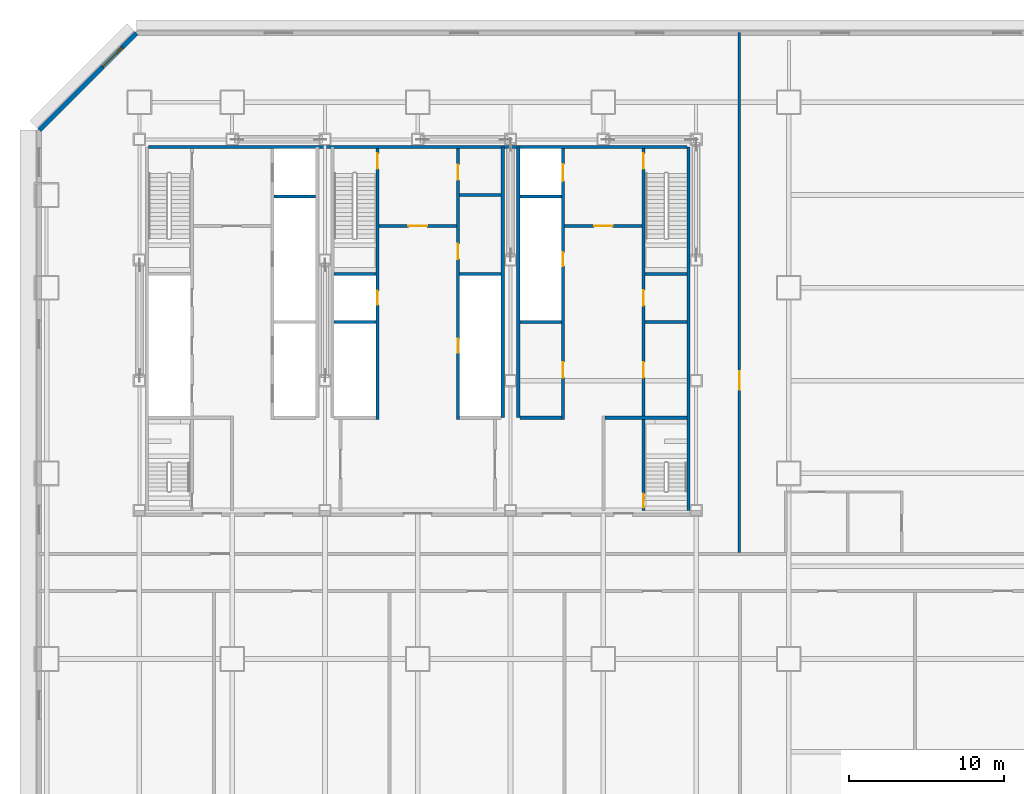
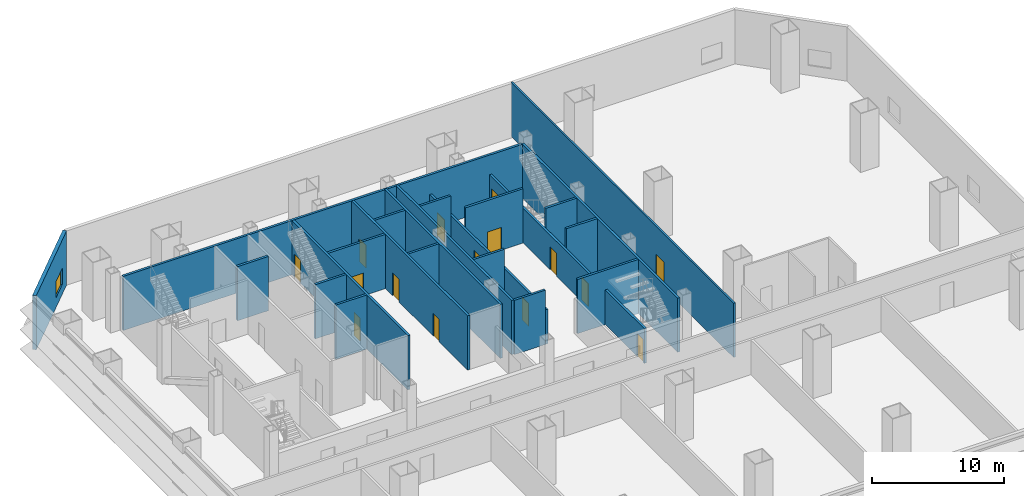
# One storey, part 5 of 10: 23 walls, 15 doors, 1 window, 16 openings.
"""IFC4 building model written with IfcOpenShell, lengths in metres."""

from ifc_helpers import new_model, si_unit, direction, frame, frame_2d, origin, place, context, subcontext, project, spatial, rectangle, extrude, material, layer, layer_set, type_object, element, fill, save


model = new_model("IFC4")

# Units and contexts
model_context = context("Model", 3, precision=1e-05, world=origin(), true_north=direction((0.0, 1.0)))
body_context = subcontext(model_context, "Body", "Model", "MODEL_VIEW")
ifc_project = project(units=[si_unit("LENGTHUNIT", "METRE"), si_unit("AREAUNIT", "SQUARE_METRE"), si_unit("VOLUMEUNIT", "CUBIC_METRE"), si_unit("PLANEANGLEUNIT", "RADIAN"), si_unit("MASSUNIT", "GRAM", prefix="KILO")], contexts=[model_context])

# Site, building, storey
site_placement = place(None, origin())
site = spatial("IfcSite", under=ifc_project, at=site_placement, CompositionType="ELEMENT")
building_placement = place(site_placement, origin())
building = spatial("IfcBuilding", under=site, at=building_placement, Name="Sorahane Residences", CompositionType="ELEMENT")
storey_placement = place(building_placement, frame((0.0, 0.0, 15.0)))
storey = spatial("IfcBuildingStorey", under=building, at=storey_placement, Name="L01", CompositionType="ELEMENT", Elevation=15.0)

# Walls
ifc_material_1 = material(Name="Concrete C30", Category="concrete")
ifc_layer_1 = layer(ifc_material_1, 0.199951171875)
ifc_layer_set_1 = layer_set([ifc_layer_1], Name="Core face wall 200 EI 180")
wall_type_1 = type_object("IfcWallType", Name="Core face wall 200 EI 180", PredefinedType="SOLIDWALL", material=ifc_layer_set_1)
wall_1_placement = place(storey_placement, frame((41.5, 21.60009765625, 0.0), z_axis=(0.0, 0.0, 1.0), x_axis=(0.0, 1.0, 0.0)))
element("IfcWall", 1, at=wall_1_placement, inside=storey, type_object=wall_type_1, Name="L01 core face wall", PredefinedType="SOLIDWALL", context=body_context, shape_type="SweptSolid", body=[
    extrude(rectangle(XDim=23.5, YDim=0.199951171875, at=frame_2d((11.75, 0.0))), origin(), (0.0, 0.0, 1.0), 5.0),
])
wall_2_placement = place(storey_placement, frame((6.60009765625, 45.10009765625, 0.0), z_axis=(0.0, 0.0, 1.0), x_axis=(1.0, 0.0, 0.0)))
element("IfcWall", 2, at=wall_2_placement, inside=storey, type_object=wall_type_1, Name="L01 core face wall", PredefinedType="SOLIDWALL", context=body_context, shape_type="SweptSolid", body=[
    extrude(rectangle(XDim=34.7998046875, YDim=0.199951171875, at=frame_2d((17.39990234375, 0.0))), origin(), (0.0, 0.0, 1.0), 5.0),
])
for number, where, z_axis, x_axis, name in (
    (3, (29.5, 27.60009765625, 0.0), (0.0, 0.0, 1.0), (0.0, 1.0, 0.0), "L01 core face wall"),
    (4, (30.5, 27.60009765625, 0.0), (0.0, 0.0, 1.0), (0.0, 1.0, 0.0), "L01 core face wall"),
):
    element("IfcWall", number, at=place(storey_placement, frame(where, z_axis=z_axis, x_axis=x_axis)), inside=storey, type_object=wall_type_1, Name=name, PredefinedType="SOLIDWALL", context=body_context, shape_type="SweptSolid", body=[
        extrude(rectangle(XDim=17.5, YDim=0.199951171875, at=frame_2d((8.75, 0.0))), origin(), (0.0, 0.0, 1.0), 5.0),
    ])

# Wall, opening, window
ifc_material_2 = material(Name="Graphite insulated metal-clad wall")
ifc_layer_2 = layer(ifc_material_2, 0.300048828125)
ifc_layer_set_2 = layer_set([ifc_layer_2], Name="External wall insulated metal-clad 300")
wall_type_2 = type_object("IfcWallType", Name="External wall insulated metal-clad 300", PredefinedType="SOLIDWALL", material=ifc_layer_set_2)
wall_3_placement = place(storey_placement, frame((5.805419921875, 52.469970703125, 0.0), z_axis=(0.0, 0.0, 1.0), x_axis=(-0.707106781187, -0.707106781187, 0.0)))
wall_3 = element("IfcWall", 5, at=wall_3_placement, inside=storey, type_object=wall_type_2, Name="External plant wall L01 NW1", PredefinedType="SOLIDWALL", context=body_context, shape_type="SweptSolid", body=[
    extrude(rectangle(XDim=8.874755859375, YDim=0.300048828125, at=frame_2d((4.4375, 0.0))), origin(), (0.0, 0.0, 1.0), 5.0),
])
opening_1_placement = place(wall_3_placement, frame((1.291748046875, 0.0, 0.89990234375)))
opening_1 = element("IfcOpeningElement", 6, at=opening_1_placement, cuts=wall_3, Name="Opening W-R1", PredefinedType="OPENING", context=body_context, shape_type="SweptSolid", body=[
    extrude(rectangle(XDim=1.800048828125, YDim=1.5, at=frame_2d((0.89990234375, 0.75))), frame((0.0, 0.159912109375, 0.0), z_axis=(0.0, -1.0, 0.0), x_axis=(1.0, 0.0, 0.0)), (0.0, 0.0, 1.0), 0.320068359375),
])
ifc_material_3 = material(Name="Dark aluminium and glass", Category="aluminium")
window_type = type_object("IfcWindowType", Name="Openable Class B fire window dark aluminium 1800x1500", PartitioningType="SINGLE_PANEL", PredefinedType="WINDOW", material=ifc_material_3)
window_placement = place(opening_1_placement, origin())
window = element("IfcWindow", 7, at=window_placement, inside=storey, type_object=window_type, Name="Openable fire window L01 NW1.1", OverallHeight=1.5, OverallWidth=1.800048828125, PartitioningType="SINGLE_PANEL", PredefinedType="WINDOW", context=body_context, shape_type="SweptSolid", body=[
    extrude(rectangle(XDim=1.800048828125, YDim=1.5, at=frame_2d((0.89990234375, 0.75))), frame((0.0, 0.030029296875, 0.0), z_axis=(0.0, -1.0, 0.0), x_axis=(1.0, 0.0, 0.0)), (0.0, 0.0, 1.0), 0.06005859375),
])
fill(opening_1, window)

# Wall, opening, door
ifc_material_4 = material(Name="Concrete C30", Category="concrete")
ifc_layer_3 = layer(ifc_material_4, 0.199951171875)
ifc_layer_set_3 = layer_set([ifc_layer_3], Name="Front room wall 200 EI 120")
wall_type_3 = type_object("IfcWallType", Name="Front room wall 200 EI 120", PredefinedType="PARTITIONING", material=ifc_layer_set_3)
wall_4_placement = place(storey_placement, frame((21.5, 40.0, 0.0), z_axis=(0.0, 0.0, 1.0), x_axis=(1.0, 0.0, 0.0)))
wall_4 = element("IfcWall", 8, at=wall_4_placement, inside=storey, type_object=wall_type_3, Name="L01 front room wall", PredefinedType="PARTITIONING", context=body_context, shape_type="SweptSolid", body=[
    extrude(rectangle(XDim=5.0, YDim=0.199951171875, at=frame_2d((2.5, 0.0))), origin(), (0.0, 0.0, 1.0), 5.0),
])
opening_2_placement = place(wall_4_placement, frame((1.89990234375, 0.0, 0.0)))
opening_2 = element("IfcOpeningElement", 9, at=opening_2_placement, cuts=wall_4, Name="Opening L01-C09", PredefinedType="OPENING", context=body_context, shape_type="SweptSolid", body=[
    extrude(rectangle(XDim=1.199951171875, YDim=2.10009765625, at=frame_2d((0.60009765625, 1.050048828125))), frame((0.0, 0.10986328125, 0.0), z_axis=(0.0, -1.0, 0.0), x_axis=(1.0, 0.0, 0.0)), (0.0, 0.0, 1.0), 0.219970703125),
])
ifc_material_5 = material(Name="Steel", Category="steel")
door_type_1 = type_object("IfcDoorType", Name="Front room door 1200x2100 FD120", OperationType="NOTDEFINED", PredefinedType="DOOR", material=ifc_material_5)
door_1_placement = place(opening_2_placement, frame((1.199951171875, 0.0, 0.0), z_axis=(0.0, 0.0, 1.0), x_axis=(-1.0, 0.0, 0.0)))
door_1 = element("IfcDoor", 10, at=door_1_placement, inside=storey, type_object=door_type_1, Name="Front room door Stair S3 vestibule L01", OperationType="DOUBLE_DOOR_SINGLE_SWING", OverallHeight=2.10009765625, OverallWidth=1.199951171875, PredefinedType="DOOR", context=body_context, shape_type="SweptSolid", body=[
    extrude(rectangle(XDim=1.199951171875, YDim=2.10009765625, at=frame_2d((0.60009765625, 1.050048828125))), frame((0.0, 0.02490234375, 0.0), z_axis=(0.0, -1.0, 0.0), x_axis=(1.0, 0.0, 0.0)), (0.0, 0.0, 1.0), 0.050048828125),
])
fill(opening_2, door_1)

wall_5_placement = place(storey_placement, frame((33.5, 40.0, 0.0), z_axis=(0.0, 0.0, 1.0), x_axis=(1.0, 0.0, 0.0)))
wall_5 = element("IfcWall", 11, at=wall_5_placement, inside=storey, type_object=wall_type_3, Name="L01 front room wall", PredefinedType="PARTITIONING", context=body_context, shape_type="SweptSolid", body=[
    extrude(rectangle(XDim=5.0, YDim=0.199951171875, at=frame_2d((2.5, 0.0))), origin(), (0.0, 0.0, 1.0), 5.0),
])
opening_3_placement = place(wall_5_placement, frame((1.89990234375, 0.0, 0.0)))
opening_3 = element("IfcOpeningElement", 12, at=opening_3_placement, cuts=wall_5, Name="Opening L01-C10", PredefinedType="OPENING", context=body_context, shape_type="SweptSolid", body=[
    extrude(rectangle(XDim=1.199951171875, YDim=2.10009765625, at=frame_2d((0.60009765625, 1.050048828125))), frame((0.0, 0.10986328125, 0.0), z_axis=(0.0, -1.0, 0.0), x_axis=(1.0, 0.0, 0.0)), (0.0, 0.0, 1.0), 0.219970703125),
])
door_2_placement = place(opening_3_placement, frame((1.199951171875, 0.0, 0.0), z_axis=(0.0, 0.0, 1.0), x_axis=(-1.0, 0.0, 0.0)))
door_2 = element("IfcDoor", 13, at=door_2_placement, inside=storey, type_object=door_type_1, Name="Front room door Firefighting lobby FF2 front room L01", OperationType="DOUBLE_DOOR_SINGLE_SWING", OverallHeight=2.10009765625, OverallWidth=1.199951171875, PredefinedType="DOOR", context=body_context, shape_type="SweptSolid", body=[
    extrude(rectangle(XDim=1.199951171875, YDim=2.10009765625, at=frame_2d((0.60009765625, 1.050048828125))), frame((0.0, 0.02490234375, 0.0), z_axis=(0.0, -1.0, 0.0), x_axis=(1.0, 0.0, 0.0)), (0.0, 0.0, 1.0), 0.050048828125),
])
fill(opening_3, door_2)

# Wall, openings, doors
ifc_material_6 = material(Name="Concrete C30", Category="concrete")
ifc_layer_4 = layer(ifc_material_6, 0.199951171875)
ifc_layer_set_4 = layer_set([ifc_layer_4], Name="Lift shaft wall 200 EI 120")
wall_type_4 = type_object("IfcWallType", Name="Lift shaft wall 200 EI 120", PredefinedType="SOLIDWALL", material=ifc_layer_set_4)
wall_6_placement = place(storey_placement, frame((33.39990234375, 27.5, 0.0), z_axis=(0.0, 0.0, 1.0), x_axis=(0.0, 1.0, 0.0)))
wall_6 = element("IfcWall", 14, at=wall_6_placement, inside=storey, type_object=wall_type_4, Name="L01 lift shaft wall", PredefinedType="SOLIDWALL", context=body_context, shape_type="SweptSolid", body=[
    extrude(rectangle(XDim=17.5, YDim=0.199951171875, at=frame_2d((8.75, 0.0))), origin(), (0.0, 0.0, 1.0), 3.199951171875),
])
opening_4_placement = place(wall_6_placement, frame((15.39990234375, 0.0, 0.0)))
opening_4 = element("IfcOpeningElement", 15, at=opening_4_placement, cuts=wall_6, Name="Opening L01-C11", PredefinedType="OPENING", context=body_context, shape_type="SweptSolid", body=[
    extrude(rectangle(XDim=1.10009765625, YDim=2.10009765625, at=frame_2d((0.550048828125, 1.050048828125))), frame((0.0, 0.10986328125, 0.0), z_axis=(0.0, -1.0, 0.0), x_axis=(1.0, 0.0, 0.0)), (0.0, 0.0, 1.0), 0.219970703125),
])
opening_5_placement = place(wall_6_placement, frame((2.699951171875, 0.0, 0.0)))
opening_5 = element("IfcOpeningElement", 16, at=opening_5_placement, cuts=wall_6, Name="Opening L01-C20", PredefinedType="OPENING", context=body_context, shape_type="SweptSolid", body=[
    extrude(rectangle(XDim=1.0, YDim=2.10009765625, at=frame_2d((0.5, 1.050048828125))), frame((0.0, 0.10986328125, 0.0), z_axis=(0.0, -1.0, 0.0), x_axis=(1.0, 0.0, 0.0)), (0.0, 0.0, 1.0), 0.219970703125),
])
opening_6_placement = place(wall_6_placement, frame((9.89990234375, 0.0, 0.0)))
opening_6 = element("IfcOpeningElement", 17, at=opening_6_placement, cuts=wall_6, Name="Opening L01-C27", PredefinedType="OPENING", context=body_context, shape_type="SweptSolid", body=[
    extrude(rectangle(XDim=0.89990234375, YDim=2.10009765625, at=frame_2d((0.449951171875, 1.050048828125))), frame((0.0, 0.10986328125, 0.0), z_axis=(0.0, -1.0, 0.0), x_axis=(1.0, 0.0, 0.0)), (0.0, 0.0, 1.0), 0.219970703125),
])
ifc_material_7 = material(Name="Aluminium and stainless steel", Category="steel")
door_type_2 = type_object("IfcDoorType", Name="Lift landing door 1100x2100 E 60", OperationType="NOTDEFINED", PredefinedType="DOOR", material=ifc_material_7)
door_3_placement = place(opening_4_placement, origin())
door_3 = element("IfcDoor", 18, at=door_3_placement, inside=storey, type_object=door_type_2, Name="Lift landing door FF2 L01", OperationType="DOUBLE_DOOR_SLIDING", OverallHeight=2.10009765625, OverallWidth=1.10009765625, PredefinedType="DOOR", context=body_context, shape_type="SweptSolid", body=[
    extrude(rectangle(XDim=1.10009765625, YDim=2.10009765625, at=frame_2d((0.550048828125, 1.050048828125))), frame((0.0, 0.02490234375, 0.0), z_axis=(0.0, -1.0, 0.0), x_axis=(1.0, 0.0, 0.0)), (0.0, 0.0, 1.0), 0.050048828125),
])
fill(opening_4, door_3)
ifc_material_8 = material(Name="Steel", Category="steel")
door_type_3 = type_object("IfcDoorType", Name="Riser door 900x2100 FD120", OperationType="NOTDEFINED", PredefinedType="DOOR", material=ifc_material_8)
door_4_placement = place(opening_6_placement, frame((0.89990234375, 0.0, 0.0), z_axis=(0.0, 0.0, 1.0), x_axis=(-1.0, 0.0, 0.0)))
door_4 = element("IfcDoor", 19, at=door_4_placement, inside=storey, type_object=door_type_3, Name="Riser door R2 L01", OperationType="SINGLE_SWING_LEFT", OverallHeight=2.10009765625, OverallWidth=0.89990234375, PredefinedType="DOOR", context=body_context, shape_type="SweptSolid", body=[
    extrude(rectangle(XDim=0.89990234375, YDim=2.10009765625, at=frame_2d((0.449951171875, 1.050048828125))), frame((0.0, 0.02490234375, 0.0), z_axis=(0.0, -1.0, 0.0), x_axis=(1.0, 0.0, 0.0)), (0.0, 0.0, 1.0), 0.050048828125),
])
fill(opening_6, door_4)
ifc_material_9 = material(Name="Steel", Category="steel")
door_type_4 = type_object("IfcDoorType", Name="Service room door 1000x2100 FD60", OperationType="NOTDEFINED", PredefinedType="DOOR", material=ifc_material_9)
door_5_placement = place(opening_5_placement, origin())
door_5 = element("IfcDoor", 20, at=door_5_placement, inside=storey, type_object=door_type_4, Name="Service room door Games room L01", OperationType="SINGLE_SWING_RIGHT", OverallHeight=2.10009765625, OverallWidth=1.0, PredefinedType="DOOR", context=body_context, shape_type="SweptSolid", body=[
    extrude(rectangle(XDim=1.0, YDim=2.10009765625, at=frame_2d((0.5, 1.050048828125))), frame((0.0, 0.02490234375, 0.0), z_axis=(0.0, -1.0, 0.0), x_axis=(1.0, 0.0, 0.0)), (0.0, 0.0, 1.0), 0.050048828125),
])
fill(opening_5, door_5)

# Walls
for number, where, z_axis, x_axis, name in (
    (21, (18.60009765625, 33.800048828125, 0.0), (0.0, 0.0, 1.0), (1.0, 0.0, 0.0), "L01 lift shaft wall"),
    (22, (14.699951171875, 41.89990234375, 0.0), (0.0, 0.0, 1.0), (1.0, 0.0, 0.0), "L01 lift shaft wall"),
    (23, (30.60009765625, 41.89990234375, 0.0), (0.0, 0.0, 1.0), (1.0, 0.0, 0.0), "L01 lift shaft wall"),
):
    element("IfcWall", number, at=place(storey_placement, frame(where, z_axis=z_axis, x_axis=x_axis)), inside=storey, type_object=wall_type_4, Name=name, PredefinedType="SOLIDWALL", context=body_context, shape_type="SweptSolid", body=[
        extrude(rectangle(XDim=2.699951171875, YDim=0.199951171875, at=frame_2d((1.35009765625, 0.0))), origin(), (0.0, 0.0, 1.0), 5.0),
    ])

# Wall, opening, door
ifc_material_10 = material(Name="Gypsum board partition on steel studs", Category="steel")
ifc_layer_5 = layer(ifc_material_10, 0.14990234375)
ifc_layer_set_5 = layer_set([ifc_layer_5], Name="Partition 150 EI 90")
wall_type_5 = type_object("IfcWallType", Name="Partition 150 EI 90", PredefinedType="PARTITIONING", material=ifc_layer_set_5)
wall_7_placement = place(storey_placement, frame((44.800048828125, 18.89990234375, 0.0), z_axis=(0.0, 0.0, 1.0), x_axis=(0.0, 1.0, 0.0)))
wall_7 = element("IfcWall", 24, at=wall_7_placement, inside=storey, type_object=wall_type_5, Name="L01 partition", PredefinedType="PARTITIONING", context=body_context, shape_type="SweptSolid", body=[
    extrude(rectangle(XDim=33.60009765625, YDim=0.14990234375, at=frame_2d((16.800048828125, 0.0))), origin(), (0.0, 0.0, 1.0), 5.0),
])
opening_7_placement = place(wall_7_placement, frame((10.5, 0.0, 0.0)))
opening_7 = element("IfcOpeningElement", 25, at=opening_7_placement, cuts=wall_7, Name="Opening L01-03", PredefinedType="OPENING", context=body_context, shape_type="SweptSolid", body=[
    extrude(rectangle(XDim=1.199951171875, YDim=2.39990234375, at=frame_2d((0.60009765625, 1.199951171875))), frame((0.0, 0.0849609375, 0.0), z_axis=(0.0, -1.0, 0.0), x_axis=(1.0, 0.0, 0.0)), (0.0, 0.0, 1.0), 0.169921875),
])
ifc_material_11 = material(Name="Steel", Category="steel")
door_type_5 = type_object("IfcDoorType", Name="Lobby door 1200x2400 FD60", OperationType="NOTDEFINED", PredefinedType="DOOR", material=ifc_material_11)
door_6_placement = place(opening_7_placement, frame((1.199951171875, 0.0, 0.0), z_axis=(0.0, 0.0, 1.0), x_axis=(-1.0, 0.0, 0.0)))
door_6 = element("IfcDoor", 26, at=door_6_placement, inside=storey, type_object=door_type_5, Name="Lobby door L01-03", OperationType="SINGLE_SWING_RIGHT", OverallHeight=2.39990234375, OverallWidth=1.199951171875, PredefinedType="DOOR", context=body_context, shape_type="SweptSolid", body=[
    extrude(rectangle(XDim=1.199951171875, YDim=2.39990234375, at=frame_2d((0.60009765625, 1.199951171875))), frame((0.0, 0.02490234375, 0.0), z_axis=(0.0, -1.0, 0.0), x_axis=(1.0, 0.0, 0.0)), (0.0, 0.0, 1.0), 0.050048828125),
])
fill(opening_7, door_6)

# Wall, openings, doors
ifc_material_12 = material(Name="Concrete C30", Category="concrete")
ifc_layer_6 = layer(ifc_material_12, 0.199951171875)
ifc_layer_set_6 = layer_set([ifc_layer_6], Name="Riser shaft wall 200 EI 120")
wall_type_6 = type_object("IfcWallType", Name="Riser shaft wall 200 EI 120", PredefinedType="SOLIDWALL", material=ifc_layer_set_6)
wall_8_placement = place(storey_placement, frame((26.60009765625, 27.5, 0.0), z_axis=(0.0, 0.0, 1.0), x_axis=(0.0, 1.0, 0.0)))
wall_8 = element("IfcWall", 27, at=wall_8_placement, inside=storey, type_object=wall_type_6, Name="L01 riser wall", PredefinedType="SOLIDWALL", context=body_context, shape_type="SweptSolid", body=[
    extrude(rectangle(XDim=17.5, YDim=0.199951171875, at=frame_2d((8.75, 0.0))), origin(), (0.0, 0.0, 1.0), 5.0),
])
opening_8_placement = place(wall_8_placement, frame((4.300048828125, 0.0, 0.0)))
opening_8 = element("IfcOpeningElement", 28, at=opening_8_placement, cuts=wall_8, Name="Opening L01-C29", PredefinedType="OPENING", context=body_context, shape_type="SweptSolid", body=[
    extrude(rectangle(XDim=0.89990234375, YDim=2.10009765625, at=frame_2d((0.449951171875, 1.050048828125))), frame((0.0, 0.10986328125, 0.0), z_axis=(0.0, -1.0, 0.0), x_axis=(1.0, 0.0, 0.0)), (0.0, 0.0, 1.0), 0.219970703125),
])
opening_9_placement = place(wall_8_placement, frame((10.35009765625, 0.0, 0.0)))
opening_9 = element("IfcOpeningElement", 29, at=opening_9_placement, cuts=wall_8, Name="Opening L01-C30", PredefinedType="OPENING", context=body_context, shape_type="SweptSolid", body=[
    extrude(rectangle(XDim=1.0, YDim=2.10009765625, at=frame_2d((0.5, 1.050048828125))), frame((0.0, 0.10986328125, 0.0), z_axis=(0.0, -1.0, 0.0), x_axis=(1.0, 0.0, 0.0)), (0.0, 0.0, 1.0), 0.219970703125),
])
opening_10_placement = place(wall_8_placement, frame((15.47509765625, 0.0, 0.0)))
opening_10 = element("IfcOpeningElement", 30, at=opening_10_placement, cuts=wall_8, Name="Opening L01-C31", PredefinedType="OPENING", context=body_context, shape_type="SweptSolid", body=[
    extrude(rectangle(XDim=1.0, YDim=2.10009765625, at=frame_2d((0.5, 1.050048828125))), frame((0.0, 0.10986328125, 0.0), z_axis=(0.0, -1.0, 0.0), x_axis=(1.0, 0.0, 0.0)), (0.0, 0.0, 1.0), 0.219970703125),
])
door_7_placement = place(opening_8_placement, origin())
door_7 = element("IfcDoor", 31, at=door_7_placement, inside=storey, type_object=door_type_3, Name="Riser door R4 L01", OperationType="SINGLE_SWING_LEFT", OverallHeight=2.10009765625, OverallWidth=0.89990234375, PredefinedType="DOOR", context=body_context, shape_type="SweptSolid", body=[
    extrude(rectangle(XDim=0.89990234375, YDim=2.10009765625, at=frame_2d((0.449951171875, 1.050048828125))), frame((0.0, 0.02490234375, 0.0), z_axis=(0.0, -1.0, 0.0), x_axis=(1.0, 0.0, 0.0)), (0.0, 0.0, 1.0), 0.050048828125),
])
fill(opening_8, door_7)
door_8_placement = place(opening_9_placement, frame((1.0, 0.0, 0.0), z_axis=(0.0, 0.0, 1.0), x_axis=(-1.0, 0.0, 0.0)))
door_8 = element("IfcDoor", 32, at=door_8_placement, inside=storey, type_object=door_type_4, Name="Service room door Parcel room L01", OperationType="SINGLE_SWING_LEFT", OverallHeight=2.10009765625, OverallWidth=1.0, PredefinedType="DOOR", context=body_context, shape_type="SweptSolid", body=[
    extrude(rectangle(XDim=1.0, YDim=2.10009765625, at=frame_2d((0.5, 1.050048828125))), frame((0.0, 0.02490234375, 0.0), z_axis=(0.0, -1.0, 0.0), x_axis=(1.0, 0.0, 0.0)), (0.0, 0.0, 1.0), 0.050048828125),
])
fill(opening_9, door_8)
door_9_placement = place(opening_10_placement, frame((1.0, 0.0, 0.0), z_axis=(0.0, 0.0, 1.0), x_axis=(-1.0, 0.0, 0.0)))
door_9 = element("IfcDoor", 33, at=door_9_placement, inside=storey, type_object=door_type_4, Name="Service room door Refuse room L01", OperationType="SINGLE_SWING_RIGHT", OverallHeight=2.10009765625, OverallWidth=1.0, PredefinedType="DOOR", context=body_context, shape_type="SweptSolid", body=[
    extrude(rectangle(XDim=1.0, YDim=2.10009765625, at=frame_2d((0.5, 1.050048828125))), frame((0.0, 0.02490234375, 0.0), z_axis=(0.0, -1.0, 0.0), x_axis=(1.0, 0.0, 0.0)), (0.0, 0.0, 1.0), 0.050048828125),
])
fill(opening_10, door_9)

# Walls
for number, where, z_axis, x_axis, name in (
    (34, (30.60009765625, 33.800048828125, 0.0), (0.0, 0.0, 1.0), (1.0, 0.0, 0.0), "L01 riser wall"),
    (35, (26.699951171875, 36.89990234375, 0.0), (0.0, 0.0, 1.0), (1.0, 0.0, 0.0), "L01 riser wall"),
):
    element("IfcWall", number, at=place(storey_placement, frame(where, z_axis=z_axis, x_axis=x_axis)), inside=storey, type_object=wall_type_6, Name=name, PredefinedType="SOLIDWALL", context=body_context, shape_type="SweptSolid", body=[
        extrude(rectangle(XDim=2.699951171875, YDim=0.199951171875, at=frame_2d((1.35009765625, 0.0))), origin(), (0.0, 0.0, 1.0), 5.0),
    ])
ifc_material_13 = material(Name="Concrete C30", Category="concrete")
ifc_layer_7 = layer(ifc_material_13, 0.199951171875)
ifc_layer_set_7 = layer_set([ifc_layer_7], Name="Service room partition 200 EI 60")
wall_type_7 = type_object("IfcWallType", Name="Service room partition 200 EI 60", PredefinedType="PARTITIONING", material=ifc_layer_set_7)
for number, where, z_axis, x_axis, name in (
    (36, (30.60009765625, 27.60009765625, 0.0), (0.0, 0.0, 1.0), (1.0, 0.0, 0.0), "L01 service room wall"),
    (37, (38.699951171875, 33.800048828125, 0.0), (0.0, 0.0, 1.0), (1.0, 0.0, 0.0), "L01 service room wall"),
    (38, (26.699951171875, 42.0, 0.0), (0.0, 0.0, 1.0), (1.0, 0.0, 0.0), "L01 service room wall"),
):
    element("IfcWall", number, at=place(storey_placement, frame(where, z_axis=z_axis, x_axis=x_axis)), inside=storey, type_object=wall_type_7, Name=name, PredefinedType="PARTITIONING", context=body_context, shape_type="SweptSolid", body=[
        extrude(rectangle(XDim=2.699951171875, YDim=0.199951171875, at=frame_2d((1.35009765625, 0.0))), origin(), (0.0, 0.0, 1.0), 5.0),
    ])

# Wall, openings, doors
ifc_material_14 = material(Name="Concrete C30", Category="concrete")
ifc_layer_8 = layer(ifc_material_14, 0.199951171875)
ifc_layer_set_8 = layer_set([ifc_layer_8], Name="Stair enclosure wall 200 EI 120")
wall_type_8 = type_object("IfcWallType", Name="Stair enclosure wall 200 EI 120", PredefinedType="SOLIDWALL", material=ifc_layer_set_8)
wall_9_placement = place(storey_placement, frame((21.39990234375, 27.5, 0.0), z_axis=(0.0, 0.0, 1.0), x_axis=(0.0, 1.0, 0.0)))
wall_9 = element("IfcWall", 39, at=wall_9_placement, inside=storey, type_object=wall_type_8, Name="L01 stair enclosure wall", PredefinedType="SOLIDWALL", context=body_context, shape_type="SweptSolid", body=[
    extrude(rectangle(XDim=17.5, YDim=0.199951171875, at=frame_2d((8.75, 0.0))), origin(), (0.0, 0.0, 1.0), 5.0),
])
opening_11_placement = place(wall_9_placement, frame((16.199951171875, 0.0, 0.0)))
opening_11 = element("IfcOpeningElement", 40, at=opening_11_placement, cuts=wall_9, Name="Opening L01-C23", PredefinedType="OPENING", context=body_context, shape_type="SweptSolid", body=[
    extrude(rectangle(XDim=1.0, YDim=2.10009765625, at=frame_2d((0.5, 1.050048828125))), frame((0.0, 0.10986328125, 0.0), z_axis=(0.0, -1.0, 0.0), x_axis=(1.0, 0.0, 0.0)), (0.0, 0.0, 1.0), 0.219970703125),
])
opening_12_placement = place(wall_9_placement, frame((7.39990234375, 0.0, 0.0)))
opening_12 = element("IfcOpeningElement", 41, at=opening_12_placement, cuts=wall_9, Name="Opening L01-C28", PredefinedType="OPENING", context=body_context, shape_type="SweptSolid", body=[
    extrude(rectangle(XDim=0.89990234375, YDim=2.10009765625, at=frame_2d((0.449951171875, 1.050048828125))), frame((0.0, 0.10986328125, 0.0), z_axis=(0.0, -1.0, 0.0), x_axis=(1.0, 0.0, 0.0)), (0.0, 0.0, 1.0), 0.219970703125),
])
door_10_placement = place(opening_12_placement, frame((0.89990234375, 0.0, 0.0), z_axis=(0.0, 0.0, 1.0), x_axis=(-1.0, 0.0, 0.0)))
door_10 = element("IfcDoor", 42, at=door_10_placement, inside=storey, type_object=door_type_3, Name="Riser door R3 L01", OperationType="SINGLE_SWING_LEFT", OverallHeight=2.10009765625, OverallWidth=0.89990234375, PredefinedType="DOOR", context=body_context, shape_type="SweptSolid", body=[
    extrude(rectangle(XDim=0.89990234375, YDim=2.10009765625, at=frame_2d((0.449951171875, 1.050048828125))), frame((0.0, 0.02490234375, 0.0), z_axis=(0.0, -1.0, 0.0), x_axis=(1.0, 0.0, 0.0)), (0.0, 0.0, 1.0), 0.050048828125),
])
fill(opening_12, door_10)
ifc_material_15 = material(Name="Steel", Category="steel")
door_type_6 = type_object("IfcDoorType", Name="Stair door 1000x2100 FD120", OperationType="NOTDEFINED", PredefinedType="DOOR", material=ifc_material_15)
door_11_placement = place(opening_11_placement, origin())
door_11 = element("IfcDoor", 43, at=door_11_placement, inside=storey, type_object=door_type_6, Name="Stair door S3 L01", OperationType="SINGLE_SWING_LEFT", OverallHeight=2.10009765625, OverallWidth=1.0, PredefinedType="DOOR", context=body_context, shape_type="SweptSolid", body=[
    extrude(rectangle(XDim=1.0, YDim=2.10009765625, at=frame_2d((0.5, 1.050048828125))), frame((0.0, 0.02490234375, 0.0), z_axis=(0.0, -1.0, 0.0), x_axis=(1.0, 0.0, 0.0)), (0.0, 0.0, 1.0), 0.050048828125),
])
fill(opening_11, door_11)

wall_10_placement = place(storey_placement, frame((38.60009765625, 21.60009765625, 0.0), z_axis=(0.0, 0.0, 1.0), x_axis=(0.0, 1.0, 0.0)))
wall_10 = element("IfcWall", 44, at=wall_10_placement, inside=storey, type_object=wall_type_8, Name="L01 stair enclosure wall", PredefinedType="SOLIDWALL", context=body_context, shape_type="SweptSolid", body=[
    extrude(rectangle(XDim=23.39990234375, YDim=0.199951171875, at=frame_2d((11.699951171875, 0.0))), origin(), (0.0, 0.0, 1.0), 3.199951171875),
])
opening_13_placement = place(wall_10_placement, frame((8.60009765625, 0.0, 0.0)))
opening_13 = element("IfcOpeningElement", 45, at=opening_13_placement, cuts=wall_10, Name="Opening L01-C18", PredefinedType="OPENING", context=body_context, shape_type="SweptSolid", body=[
    extrude(rectangle(XDim=1.0, YDim=2.10009765625, at=frame_2d((0.5, 1.050048828125))), frame((0.0, 0.10986328125, 0.0), z_axis=(0.0, -1.0, 0.0), x_axis=(1.0, 0.0, 0.0)), (0.0, 0.0, 1.0), 0.219970703125),
])
opening_14_placement = place(wall_10_placement, frame((13.25, 0.0, 0.0)))
opening_14 = element("IfcOpeningElement", 46, at=opening_14_placement, cuts=wall_10, Name="Opening L01-C19", PredefinedType="OPENING", context=body_context, shape_type="SweptSolid", body=[
    extrude(rectangle(XDim=1.0, YDim=2.10009765625, at=frame_2d((0.5, 1.050048828125))), frame((0.0, 0.10986328125, 0.0), z_axis=(0.0, -1.0, 0.0), x_axis=(1.0, 0.0, 0.0)), (0.0, 0.0, 1.0), 0.219970703125),
])
opening_15_placement = place(wall_10_placement, frame((22.10009765625, 0.0, 0.0)))
opening_15 = element("IfcOpeningElement", 47, at=opening_15_placement, cuts=wall_10, Name="Opening L01-C22", PredefinedType="OPENING", context=body_context, shape_type="SweptSolid", body=[
    extrude(rectangle(XDim=1.0, YDim=2.10009765625, at=frame_2d((0.5, 1.050048828125))), frame((0.0, 0.10986328125, 0.0), z_axis=(0.0, -1.0, 0.0), x_axis=(1.0, 0.0, 0.0)), (0.0, 0.0, 1.0), 0.219970703125),
])
opening_16_placement = place(wall_10_placement, frame((0.175048828125, 0.0, 0.0)))
opening_16 = element("IfcOpeningElement", 48, at=opening_16_placement, cuts=wall_10, Name="Opening L01-C25", PredefinedType="OPENING", context=body_context, shape_type="SweptSolid", body=[
    extrude(rectangle(XDim=0.89990234375, YDim=2.10009765625, at=frame_2d((0.449951171875, 1.050048828125))), frame((0.0, 0.10986328125, 0.0), z_axis=(0.0, -1.0, 0.0), x_axis=(1.0, 0.0, 0.0)), (0.0, 0.0, 1.0), 0.219970703125),
])
door_12_placement = place(opening_13_placement, frame((1.0, 0.0, 0.0), z_axis=(0.0, 0.0, 1.0), x_axis=(-1.0, 0.0, 0.0)))
door_12 = element("IfcDoor", 49, at=door_12_placement, inside=storey, type_object=door_type_4, Name="Service room door Games room L01", OperationType="SINGLE_SWING_RIGHT", OverallHeight=2.10009765625, OverallWidth=1.0, PredefinedType="DOOR", context=body_context, shape_type="SweptSolid", body=[
    extrude(rectangle(XDim=1.0, YDim=2.10009765625, at=frame_2d((0.5, 1.050048828125))), frame((0.0, 0.02490234375, 0.0), z_axis=(0.0, -1.0, 0.0), x_axis=(1.0, 0.0, 0.0)), (0.0, 0.0, 1.0), 0.050048828125),
])
fill(opening_13, door_12)
door_13_placement = place(opening_14_placement, frame((1.0, 0.0, 0.0), z_axis=(0.0, 0.0, 1.0), x_axis=(-1.0, 0.0, 0.0)))
door_13 = element("IfcDoor", 50, at=door_13_placement, inside=storey, type_object=door_type_4, Name="Service room door Audio room L01", OperationType="SINGLE_SWING_LEFT", OverallHeight=2.10009765625, OverallWidth=1.0, PredefinedType="DOOR", context=body_context, shape_type="SweptSolid", body=[
    extrude(rectangle(XDim=1.0, YDim=2.10009765625, at=frame_2d((0.5, 1.050048828125))), frame((0.0, 0.02490234375, 0.0), z_axis=(0.0, -1.0, 0.0), x_axis=(1.0, 0.0, 0.0)), (0.0, 0.0, 1.0), 0.050048828125),
])
fill(opening_14, door_13)
door_14_placement = place(opening_15_placement, frame((1.0, 0.0, 0.0), z_axis=(0.0, 0.0, 1.0), x_axis=(-1.0, 0.0, 0.0)))
door_14 = element("IfcDoor", 51, at=door_14_placement, inside=storey, type_object=door_type_6, Name="Stair door S2 L01", OperationType="SINGLE_SWING_LEFT", OverallHeight=2.10009765625, OverallWidth=1.0, PredefinedType="DOOR", context=body_context, shape_type="SweptSolid", body=[
    extrude(rectangle(XDim=1.0, YDim=2.10009765625, at=frame_2d((0.5, 1.050048828125))), frame((0.0, 0.02490234375, 0.0), z_axis=(0.0, -1.0, 0.0), x_axis=(1.0, 0.0, 0.0)), (0.0, 0.0, 1.0), 0.050048828125),
])
fill(opening_15, door_14)
ifc_material_16 = material(Name="Steel", Category="steel")
door_type_7 = type_object("IfcDoorType", Name="Stair door 900x2100 FD120", OperationType="NOTDEFINED", PredefinedType="DOOR", material=ifc_material_16)
door_15_placement = place(opening_16_placement, frame((0.89990234375, 0.0, 0.0), z_axis=(0.0, 0.0, 1.0), x_axis=(-1.0, 0.0, 0.0)))
door_15 = element("IfcDoor", 52, at=door_15_placement, inside=storey, type_object=door_type_7, Name="Stair door S5 L01", OperationType="SINGLE_SWING_LEFT", OverallHeight=2.10009765625, OverallWidth=0.89990234375, PredefinedType="DOOR", context=body_context, shape_type="SweptSolid", body=[
    extrude(rectangle(XDim=0.89990234375, YDim=2.10009765625, at=frame_2d((0.449951171875, 1.050048828125))), frame((0.0, 0.02490234375, 0.0), z_axis=(0.0, -1.0, 0.0), x_axis=(1.0, 0.0, 0.0)), (0.0, 0.0, 1.0), 0.050048828125),
])
fill(opening_16, door_15)

# Walls
wall_11_placement = place(storey_placement, frame((36.10009765625, 27.60009765625, 0.0), z_axis=(0.0, 0.0, 1.0), x_axis=(1.0, 0.0, 0.0)))
element("IfcWall", 53, at=wall_11_placement, inside=storey, type_object=wall_type_8, Name="L01 stair enclosure wall", PredefinedType="SOLIDWALL", context=body_context, shape_type="SweptSolid", body=[
    extrude(rectangle(XDim=5.2998046875, YDim=0.199951171875, at=frame_2d((2.64990234375, 0.0))), origin(), (0.0, 0.0, 1.0), 5.0),
])
for number, where, z_axis, x_axis, name in (
    (54, (18.60009765625, 36.89990234375, 0.0), (0.0, 0.0, 1.0), (1.0, 0.0, 0.0), "L01 stair enclosure wall"),
    (55, (38.699951171875, 36.89990234375, 0.0), (0.0, 0.0, 1.0), (1.0, 0.0, 0.0), "L01 stair enclosure wall"),
):
    element("IfcWall", number, at=place(storey_placement, frame(where, z_axis=z_axis, x_axis=x_axis)), inside=storey, type_object=wall_type_8, Name=name, PredefinedType="SOLIDWALL", context=body_context, shape_type="SweptSolid", body=[
        extrude(rectangle(XDim=2.699951171875, YDim=0.199951171875, at=frame_2d((1.35009765625, 0.0))), origin(), (0.0, 0.0, 1.0), 5.0),
    ])

save(model, "model.ifc")
